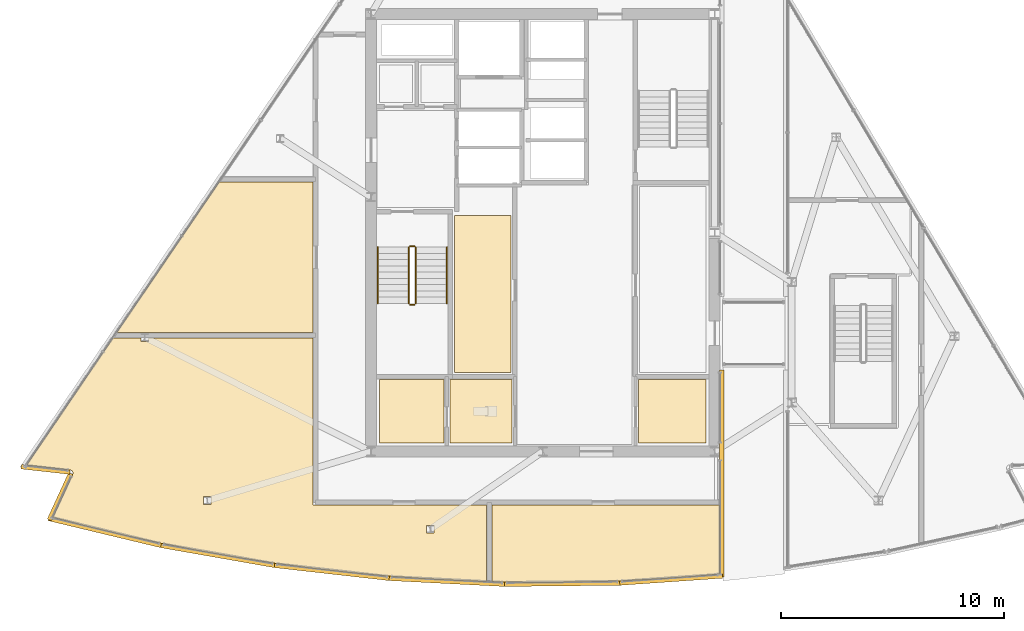
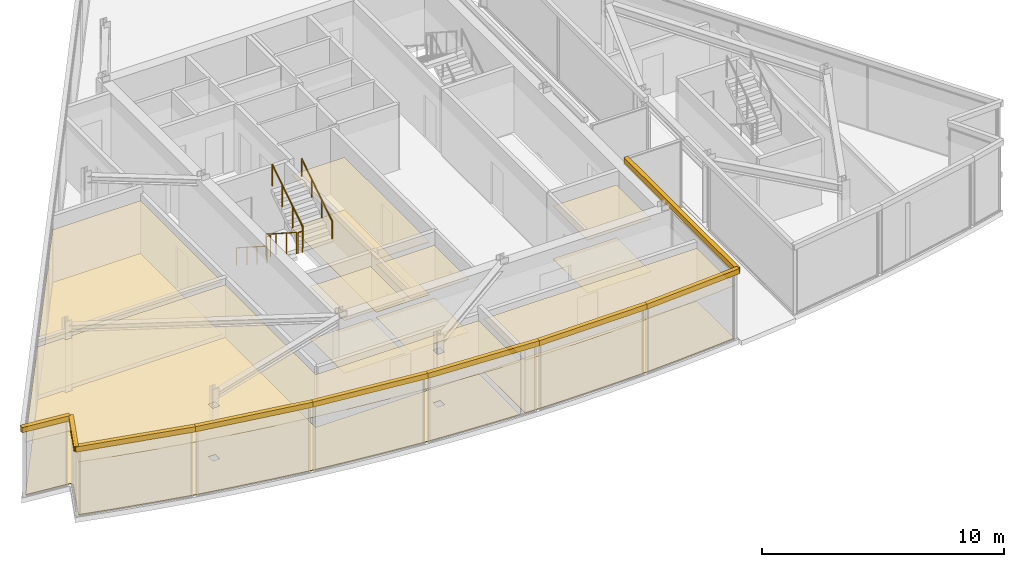
# One storey, part 11 of 15: 23 coverings, 6 railings.
"""IFC4 building model written with IfcOpenShell, lengths in metres."""

import ifcopenshell
import ifcopenshell.guid

model = None  # the IFC model being written
_history = None  # IfcOwnerHistory: only IFC2X3 demands one
_inside = {}  # id of a spatial element -> (the spatial element, [elements in it])
_under = {}  # id of a project, library or spatial element -> (it, [spatial elements below it])
_declared = {}  # id of a project -> (the project, [libraries it declares])
_typed = {}  # id of a type object -> (the type object, [elements of that type])
_made_of = {}  # id of a material, layer set ... -> (it, [elements and type objects made of it])


def new_model(schema):
    """Start an empty IFC model of exactly this schema.

    Asked for "IFC4X3", IfcOpenShell would pick the latest addendum, in which some entities
    have other attributes; the version numbers below select the first issue.
    IFC2X3 requires an IfcOwnerHistory on every rooted entity: one is made here for all.
    """
    global model, _history
    if schema == "IFC4X3":
        model = ifcopenshell.file(schema_version=(4, 3, 0, 0))
    else:
        model = ifcopenshell.file(schema=schema)
    _inside.clear()
    _under.clear()
    _declared.clear()
    _typed.clear()
    _made_of.clear()
    _history = None
    if model.schema == "IFC2X3":
        org = make("IfcOrganization", Name="unknown")
        user = make(
            "IfcPersonAndOrganization",
            ThePerson=make("IfcPerson", FamilyName="unknown"),
            TheOrganization=org,
        )
        app = make(
            "IfcApplication",
            ApplicationDeveloper=org,
            Version="unknown",
            ApplicationFullName="unknown",
            ApplicationIdentifier="unknown",
        )
        _history = make(
            "IfcOwnerHistory",
            OwningUser=user,
            OwningApplication=app,
            ChangeAction="ADDED",
            CreationDate=0,
        )
    return model


def make(cls, **values):
    """One entity of the class cls with the attributes given. An attribute that is None is left unset."""
    return model.create_entity(
        cls, **{name: value for name, value in values.items() if value is not None}
    )


def rooted(cls, **values):
    """An entity with a GlobalId (a new one), such as an element, a storey or a relation."""
    return make(cls, GlobalId=ifcopenshell.guid.new(), OwnerHistory=_history, **values)


def si_unit(unit_type, name, prefix=None):
    """IfcSIUnit, for example si_unit("LENGTHUNIT", "METRE", prefix="MILLI")."""
    return make("IfcSIUnit", UnitType=unit_type, Prefix=prefix, Name=name)


def assignment(units):
    """IfcUnitAssignment: the units of a project."""
    return None if units is None else make("IfcUnitAssignment", Units=units)


def point(xyz):
    """IfcCartesianPoint."""
    return None if xyz is None else make("IfcCartesianPoint", Coordinates=xyz)


def direction(xyz):
    """IfcDirection."""
    return None if xyz is None else make("IfcDirection", DirectionRatios=xyz)


def frame(location, z_axis=None, x_axis=None):
    """IfcAxis2Placement3D, a coordinate frame: its origin and axes. An axis left out is left unset."""
    return make(
        "IfcAxis2Placement3D",
        Location=point(location),
        Axis=direction(z_axis),
        RefDirection=direction(x_axis),
    )


def frame_2d(location, x_axis=None):
    """IfcAxis2Placement2D, a coordinate frame in the plane: its origin and x axis."""
    return make(
        "IfcAxis2Placement2D", Location=point(location), RefDirection=direction(x_axis)
    )


def origin():
    """The frame at (0, 0, 0) with its axes left unset."""
    return frame((0.0, 0.0, 0.0))


def origin_2d():
    """The frame at (0, 0) in the plane with its x axis left unset."""
    return frame_2d((0.0, 0.0))


def place(relative_to, where):
    """IfcLocalPlacement: puts the frame where relative to a parent placement (None: the world)."""
    return make(
        "IfcLocalPlacement", PlacementRelTo=relative_to, RelativePlacement=where
    )


def context(
    kind, dimensions, precision=None, world=None, true_north=None, identifier=None
):
    """IfcGeometricRepresentationContext, for example the 3D "Model" context."""
    return make(
        "IfcGeometricRepresentationContext",
        ContextIdentifier=identifier,
        ContextType=kind,
        CoordinateSpaceDimension=dimensions,
        Precision=precision,
        WorldCoordinateSystem=world,
        TrueNorth=true_north,
    )


def subcontext(parent, identifier, kind, view, scale=None):
    """IfcGeometricRepresentationSubContext, for example "Body" below "Model"."""
    return make(
        "IfcGeometricRepresentationSubContext",
        ContextIdentifier=identifier,
        ContextType=kind,
        ParentContext=parent,
        TargetScale=scale,
        TargetView=view,
    )


def project(units=None, contexts=None):
    """IfcProject with its units and contexts."""
    return rooted(
        "IfcProject",
        Name="project",
        RepresentationContexts=contexts,
        UnitsInContext=assignment(units),
    )


def spatial(cls, under=None, at=None, **own):
    """A site, building, storey or space (cls), placed at a placement, below another one or the project."""
    s = rooted(cls, ObjectPlacement=at, **own)
    if under is not None:
        _under.setdefault(under.id(), (under, []))[1].append(s)
    return s


def polyline(points):
    """IfcPolyline through the points."""
    return make("IfcPolyline", Points=[point(p) for p in points])


def profile(cls, at=None, kind="AREA", **sizes):
    """A parametric profile (cls). Its sizes go by their IFC names, for example OverallWidth=200.0."""
    return make(cls, ProfileType=kind, Position=at, **sizes)


def circle(**sizes):
    """IfcCircleProfileDef."""
    return profile("IfcCircleProfileDef", **sizes)


def outline(outer, holes=None, kind="AREA"):
    """IfcArbitraryClosedProfileDef: a profile drawn as a closed curve; with holes, ...WithVoids."""
    if holes is None:
        return make("IfcArbitraryClosedProfileDef", ProfileType=kind, OuterCurve=outer)
    return make(
        "IfcArbitraryProfileDefWithVoids",
        ProfileType=kind,
        OuterCurve=outer,
        InnerCurves=holes,
    )


def extrude(swept, where, along, depth):
    """IfcExtrudedAreaSolid: the profile swept, set in the frame where, extruded along a direction by depth."""
    return make(
        "IfcExtrudedAreaSolid",
        SweptArea=swept,
        Position=where,
        ExtrudedDirection=direction(along),
        Depth=depth,
    )


def shape(context_of_items, identifier, shape_type, items):
    """IfcShapeRepresentation: the items that make up one representation, for example the "Body"."""
    return make(
        "IfcShapeRepresentation",
        ContextOfItems=context_of_items,
        RepresentationIdentifier=identifier,
        RepresentationType=shape_type,
        Items=items,
    )


def material(Name=None, Category=None):
    """IfcMaterial."""
    return make("IfcMaterial", Name=Name, Category=Category)


def layer(
    of_material, thickness, ventilated=None, Name=None, Category=None, Priority=None
):
    """IfcMaterialLayer: one layer of a wall or slab, of a material (None: an air gap)."""
    return make(
        "IfcMaterialLayer",
        Material=of_material,
        LayerThickness=thickness,
        IsVentilated=ventilated,
        Name=Name,
        Category=Category,
        Priority=Priority,
    )


def layer_set(layers, Name=None):
    """IfcMaterialLayerSet."""
    return make("IfcMaterialLayerSet", MaterialLayers=layers, LayerSetName=Name)


def made_of(thing, what):
    """Note that an element or type object is made of a material, layer set ...; save() writes the relation."""
    if what is not None:
        _made_of.setdefault(what.id(), (what, []))[1].append(thing)
    return thing


def type_object(cls, material=None, **own):
    """A type object (cls), such as IfcWallType, which elements share."""
    return made_of(rooted(cls, **own), material)


def element(
    cls,
    number,
    at=None,
    inside=None,
    cuts=None,
    type_object=None,
    material=None,
    context=None,
    identifier="Body",
    shape_type=None,
    held_by="IfcProductDefinitionShape",
    body=None,
    shapes=None,
    **own,
):
    """One element of the class cls, such as IfcWall. Its Tag is "e" and its number.

    at: its placement. inside: the storey or other place that contains it. cuts: it is an
    opening in that element (IfcRelVoidsElement). A single representation is given by context,
    identifier, shape_type and body (its items); several are given by shapes. held_by: the class
    of the entity that holds the representations. save() writes the other relations.
    """
    e = rooted(cls, Tag="e%d" % number, ObjectPlacement=at, **own)
    if body is not None:
        shapes = [shape(context, identifier, shape_type, body)]
    if shapes is not None:
        e.Representation = make(held_by, Representations=shapes)
    if inside is not None:
        _inside.setdefault(inside.id(), (inside, []))[1].append(e)
    if cuts is not None:
        rooted(
            "IfcRelVoidsElement", RelatingBuildingElement=cuts, RelatedOpeningElement=e
        )
    if type_object is not None:
        _typed.setdefault(type_object.id(), (type_object, []))[1].append(e)
    return made_of(e, material)


def aggregate(whole, parts):
    """IfcRelAggregates: a whole, such as a stair, and the parts it consists of."""
    return rooted("IfcRelAggregates", RelatingObject=whole, RelatedObjects=parts)


def save(model, path):
    """Write the relations noted so far, then the file.

    IfcRelAggregates (storeys below a building ...), IfcRelContainedInSpatialStructure (elements
    in a storey), IfcRelDefinesByType, IfcRelAssociatesMaterial and IfcRelDeclares: one each for
    every whole, place, type object, material and project.
    """
    for whole, parts in _under.values():
        aggregate(whole, parts)
    for where, things in _inside.values():
        rooted(
            "IfcRelContainedInSpatialStructure",
            RelatedElements=things,
            RelatingStructure=where,
        )
    for kind, things in _typed.values():
        rooted("IfcRelDefinesByType", RelatedObjects=things, RelatingType=kind)
    for what, things in _made_of.values():
        rooted("IfcRelAssociatesMaterial", RelatedObjects=things, RelatingMaterial=what)
    for by, libraries in _declared.values():
        rooted("IfcRelDeclares", RelatingContext=by, RelatedDefinitions=libraries)
    model.write(path)


model = new_model("IFC4")

# Units and contexts
model_context = context("Model", 3, precision=1e-05, world=origin(), true_north=direction((0.0, 1.0)))
body_context = subcontext(model_context, "Body", "Model", "MODEL_VIEW")
ifc_project = project(units=[si_unit("LENGTHUNIT", "METRE"), si_unit("AREAUNIT", "SQUARE_METRE"), si_unit("VOLUMEUNIT", "CUBIC_METRE"), si_unit("PLANEANGLEUNIT", "RADIAN"), si_unit("MASSUNIT", "GRAM", prefix="KILO")], contexts=[model_context])

# Site, building, storey
site_placement = place(None, origin())
site = spatial("IfcSite", under=ifc_project, at=site_placement, CompositionType="ELEMENT")
building_placement = place(site_placement, origin())
building = spatial("IfcBuilding", under=site, at=building_placement, Name="Savorim Split Tower", CompositionType="ELEMENT")
storey_placement = place(building_placement, frame((0.0, 0.0, 297.60009765625)))
storey = spatial("IfcBuildingStorey", under=building, at=storey_placement, Name="Crown L79 Plant", CompositionType="ELEMENT", Elevation=297.60009765625)

# Coverings
ifc_material_1 = material(Name="Mineral Fibre Acoustic Ceiling")
ifc_layer_1 = layer(ifc_material_1, 0.02490234375)
ifc_layer_set_1 = layer_set([ifc_layer_1], Name="COV-CEIL-25")
covering_type_1 = type_object("IfcCoveringType", Name="COV-CEIL-25", PredefinedType="CEILING", material=ifc_layer_set_1)
covering_1_placement = place(storey_placement, frame((0.0, 0.0, 2.659912109375)))
element("IfcCovering", 1, at=covering_1_placement, inside=storey, type_object=covering_type_1, Name="Crown L79 Plant Core Mechanical Store West Acoustic Ceiling", PredefinedType="CEILING", context=body_context, shape_type="SweptSolid", body=[
    extrude(outline(polyline([(-3.969970703125, 1.169921875), (-3.969970703125, -5.8701171875), (-1.429931640625, -5.8701171875), (-1.429931640625, 1.169921875), (-3.969970703125, 1.169921875)])), origin(), (0.0, 0.0, 1.0), 0.02490234375),
])
covering_2_placement = place(storey_placement, frame((0.0, 0.0, 2.659912109375)))
element("IfcCovering", 2, at=covering_2_placement, inside=storey, type_object=covering_type_1, Name="Crown L79 Plant Housekeeping Store Acoustic Ceiling", PredefinedType="CEILING", context=body_context, shape_type="SweptSolid", body=[
    extrude(outline(polyline([(-7.320068359375, -6.179931640625), (-7.320068359375, -9.02001953125), (-4.429931640625, -9.02001953125), (-4.429931640625, -6.179931640625), (-7.320068359375, -6.179931640625)])), origin(), (0.0, 0.0, 1.0), 0.02490234375),
])
covering_3_placement = place(storey_placement, frame((0.0, 0.0, 2.659912109375)))
element("IfcCovering", 3, at=covering_3_placement, inside=storey, type_object=covering_type_1, Name="Crown L79 Plant Accessible WC Acoustic Ceiling", PredefinedType="CEILING", context=body_context, shape_type="SweptSolid", body=[
    extrude(outline(polyline([(-4.169921875, -6.179931640625), (-4.169921875, -9.02001953125), (-1.3798828125, -9.02001953125), (-1.3798828125, -6.179931640625), (-4.169921875, -6.179931640625)])), origin(), (0.0, 0.0, 1.0), 0.02490234375),
])
covering_4_placement = place(storey_placement, frame((0.0, 0.0, 2.659912109375)))
element("IfcCovering", 4, at=covering_4_placement, inside=storey, type_object=covering_type_1, Name="Crown L79 Plant Core IT Server Room Acoustic Ceiling", PredefinedType="CEILING", context=body_context, shape_type="SweptSolid", body=[
    extrude(outline(polyline([(4.280029296875, -6.179931640625), (4.280029296875, -9.02001953125), (7.320068359375, -9.02001953125), (7.320068359375, -6.179931640625), (4.280029296875, -6.179931640625)])), origin(), (0.0, 0.0, 1.0), 0.02490234375),
])
covering_5_placement = place(storey_placement, frame((0.0, 0.0, 2.659912109375)))
element("IfcCovering", 5, at=covering_5_placement, inside=storey, type_object=covering_type_1, Name="Crown L79 Plant AHU Mechanical Plant Room Acoustic Ceiling", PredefinedType="CEILING", context=body_context, shape_type="SweptSolid", body=[
    extrude(outline(polyline([(-10.300048828125, 2.679931640625), (-14.46630859375, 2.679931640625), (-14.49951171875, 2.679931640625), (-19.09814453125, -4.080078125), (-10.300048828125, -4.080078125), (-10.300048828125, 2.679931640625)])), origin(), (0.0, 0.0, 1.0), 0.02490234375),
])
covering_6_placement = place(storey_placement, frame((0.0, 0.0, 2.659912109375)))
element("IfcCovering", 6, at=covering_6_placement, inside=storey, type_object=covering_type_1, Name="Crown L79 Plant Chiller Plant Room Acoustic Ceiling", PredefinedType="CEILING", context=body_context, shape_type="SweptSolid", body=[
    extrude(outline(polyline([(-6.8779296875, -14.990478515625), (-5.160888671875, -15.113525390625), (-3.44189453125, -15.201416015625), (-2.52001953125, -15.22998046875), (-2.52001953125, -11.800048828125), (-10.06005859375, -11.800048828125), (-10.179931640625, -11.800048828125), (-10.300048828125, -11.800048828125), (-10.300048828125, -11.56005859375), (-10.300048828125, -4.320068359375), (-17.67529296875, -4.320068359375), (-17.67529296875, -4.463623046875), (-18.00537109375, -4.463623046875), (-18.00537109375, -4.320068359375), (-19.22802734375, -4.320068359375), (-19.261474609375, -4.320068359375), (-23.13427734375, -10.012939453125), (-21.181884765625, -10.23095703125), (-21.16796875, -10.233154296875), (-21.154541015625, -10.23681640625), (-21.1416015625, -10.24169921875), (-21.129150390625, -10.247802734375), (-21.1171875, -10.255126953125), (-21.106201171875, -10.263916015625), (-21.09619140625, -10.273193359375), (-21.0869140625, -10.283935546875), (-21.0791015625, -10.295166015625), (-21.072021484375, -10.307373046875), (-21.06640625, -10.320068359375), (-21.062255859375, -10.333251953125), (-21.05908203125, -10.346923828125), (-21.0576171875, -10.36083984375), (-21.057373046875, -10.374755859375), (-21.05859375, -10.388671875), (-21.06103515625, -10.40234375), (-21.06494140625, -10.41552734375), (-21.070068359375, -10.428466796875), (-21.955078125, -12.354736328125), (-20.449951171875, -12.74853515625), (-18.77587890625, -13.14990234375), (-17.09423828125, -13.516845703125), (-15.4052734375, -13.849365234375), (-13.709716796875, -14.147216796875), (-12.008544921875, -14.410400390625), (-10.302490234375, -14.638671875), (-8.592041015625, -14.83203125), (-6.8779296875, -14.990478515625)]), holes=[polyline([(-14.872314453125, -11.776611328125), (-14.872314453125, -11.426513671875), (-15.2021484375, -11.426513671875), (-15.2021484375, -11.776611328125), (-14.872314453125, -11.776611328125)]), polyline([(-4.874755859375, -13.06005859375), (-4.874755859375, -12.710205078125), (-5.20458984375, -12.710205078125), (-5.20458984375, -13.06005859375), (-4.874755859375, -13.06005859375)])]), origin(), (0.0, 0.0, 1.0), 0.02490234375),
])
covering_7_placement = place(storey_placement, frame((0.0, 0.0, 2.659912109375)))
element("IfcCovering", 7, at=covering_7_placement, inside=storey, type_object=covering_type_1, Name="Crown L79 Plant Booster Pump Plant Room Acoustic Ceiling", PredefinedType="CEILING", context=body_context, shape_type="SweptSolid", body=[
    extrude(outline(polyline([(3.44189453125, -15.201416015625), (5.160888671875, -15.113525390625), (6.8779296875, -14.990478515625), (7.909912109375, -14.89501953125), (7.909912109375, -11.800048828125), (-2.280029296875, -11.800048828125), (-2.280029296875, -15.2373046875), (-1.72119140625, -15.25439453125), (0.0, -15.27197265625), (1.72119140625, -15.25439453125), (3.44189453125, -15.201416015625)])), origin(), (0.0, 0.0, 1.0), 0.02490234375),
])
ifc_material_2 = material(Name="Terracotta Ceramic-Coated Aluminium Fin", Category="masonry")
ifc_layer_2 = layer(ifc_material_2, 0.050048828125)
ifc_layer_set_2 = layer_set([ifc_layer_2], Name="COV-CLAD-TERRA")
covering_type_2 = type_object("IfcCoveringType", Name="COV-CLAD-TERRA", PredefinedType="CLADDING", material=ifc_layer_set_2)
covering_8_placement = place(storey_placement, frame((0.0, 0.0, 3.33984375)))
element("IfcCovering", 8, at=covering_8_placement, inside=storey, type_object=covering_type_2, Name="Crown L79 Plant Sloped Crest Eave Spandrel W1", PredefinedType="CLADDING", context=body_context, shape_type="SweptSolid", body=[
    extrude(outline(polyline([(8.110107421875, -15.022705078125), (8.110107421875, -5.75), (7.909912109375, -5.75), (7.909912109375, -15.022705078125), (8.110107421875, -15.022705078125)])), origin(), (0.0, 0.0, 1.0), 0.260009765625),
])
covering_9_placement = place(storey_placement, frame((0.0, 0.0, 3.33984375)))
element("IfcCovering", 9, at=covering_9_placement, inside=storey, type_object=covering_type_2, Name="Crown L79 Plant Sloped Crest Eave Spandrel W6", PredefinedType="CLADDING", context=body_context, shape_type="SweptSolid", body=[
    extrude(outline(polyline([(-23.38720703125, -10.185791015625), (-21.2041015625, -10.4296875), (-21.181884765625, -10.23095703125), (-23.364990234375, -9.9873046875), (-23.38720703125, -10.185791015625)])), origin(), (0.0, 0.0, 1.0), 0.260009765625),
])
covering_10_placement = place(storey_placement, frame((0.0, 0.0, 3.33984375)))
element("IfcCovering", 10, at=covering_10_placement, inside=storey, type_object=covering_type_2, Name="Crown L79 Plant Sloped Crest Eave Spandrel W7", PredefinedType="CLADDING", context=body_context, shape_type="SweptSolid", body=[
    extrude(outline(polyline([(-21.251708984375, -10.34521484375), (-22.20654296875, -12.423095703125), (-22.02490234375, -12.50634765625), (-21.070068359375, -10.428466796875), (-21.251708984375, -10.34521484375)])), origin(), (0.0, 0.0, 1.0), 0.260009765625),
])
covering_11_placement = place(storey_placement, frame((0.0, 0.0, 3.33984375)))
element("IfcCovering", 11, at=covering_11_placement, inside=storey, type_object=covering_type_2, Name="Crown L79 Plant Sloped Crest Eave Spandrel W8", PredefinedType="CLADDING", context=body_context, shape_type="SweptSolid", body=[
    extrude(outline(polyline([(-22.166015625, -12.50634765625), (-17.13671875, -13.712158203125), (-17.090087890625, -13.517822265625), (-22.119384765625, -12.31201171875), (-22.166015625, -12.50634765625)])), origin(), (0.0, 0.0, 1.0), 0.260009765625),
])
covering_12_placement = place(storey_placement, frame((0.0, 0.0, 3.33984375)))
element("IfcCovering", 12, at=covering_12_placement, inside=storey, type_object=covering_type_2, Name="Crown L79 Plant Sloped Crest Eave Spandrel W9", PredefinedType="CLADDING", context=body_context, shape_type="SweptSolid", body=[
    extrude(outline(polyline([(-17.133056640625, -13.712890625), (-12.0390625, -14.608154296875), (-12.00439453125, -14.4111328125), (-17.098388671875, -13.51611328125), (-17.133056640625, -13.712890625)])), origin(), (0.0, 0.0, 1.0), 0.260009765625),
])
covering_13_placement = place(storey_placement, frame((0.0, 0.0, 3.33984375)))
element("IfcCovering", 13, at=covering_13_placement, inside=storey, type_object=covering_type_2, Name="Crown L79 Plant Sloped Crest Eave Spandrel W10", PredefinedType="CLADDING", context=body_context, shape_type="SweptSolid", body=[
    extrude(outline(polyline([(-12.035400390625, -14.608642578125), (-6.89599609375, -15.189453125), (-6.873779296875, -14.99072265625), (-12.012939453125, -14.409912109375), (-12.035400390625, -14.608642578125)])), origin(), (0.0, 0.0, 1.0), 0.260009765625),
])
covering_14_placement = place(storey_placement, frame((0.0, 0.0, 3.33984375)))
element("IfcCovering", 14, at=covering_14_placement, inside=storey, type_object=covering_type_2, Name="Crown L79 Plant Sloped Crest Eave Spandrel W11", PredefinedType="CLADDING", context=body_context, shape_type="SweptSolid", body=[
    extrude(outline(polyline([(-6.892578125, -15.189697265625), (-1.727294921875, -15.454345703125), (-1.716796875, -15.254638671875), (-6.882080078125, -14.989990234375), (-6.892578125, -15.189697265625)])), origin(), (0.0, 0.0, 1.0), 0.260009765625),
])
covering_15_placement = place(storey_placement, frame((0.0, 0.0, 3.33984375)))
element("IfcCovering", 15, at=covering_15_placement, inside=storey, type_object=covering_type_2, Name="Crown L79 Plant Sloped Crest Eave Spandrel W12", PredefinedType="CLADDING", context=body_context, shape_type="SweptSolid", body=[
    extrude(outline(polyline([(-1.723388671875, -15.454345703125), (3.4482421875, -15.4013671875), (3.4462890625, -15.201416015625), (-1.7255859375, -15.25439453125), (-1.723388671875, -15.454345703125)])), origin(), (0.0, 0.0, 1.0), 0.260009765625),
])
covering_16_placement = place(storey_placement, frame((0.0, 0.0, 3.33984375)))
element("IfcCovering", 16, at=covering_16_placement, inside=storey, type_object=covering_type_2, Name="Crown L79 Plant Sloped Crest Eave Spandrel W13", PredefinedType="CLADDING", context=body_context, shape_type="SweptSolid", body=[
    extrude(outline(polyline([(3.45166015625, -15.4013671875), (8.05419921875, -15.08251953125), (8.040283203125, -14.883056640625), (3.43798828125, -15.20166015625), (3.45166015625, -15.4013671875)])), origin(), (0.0, 0.0, 1.0), 0.260009765625),
])
ifc_material_3 = material(Name="Porcelain Stoneware Flooring", Category="masonry")
ifc_layer_3 = layer(ifc_material_3, 0.02001953125)
ifc_layer_set_3 = layer_set([ifc_layer_3], Name="COV-FLOR-20")
covering_type_3 = type_object("IfcCoveringType", Name="COV-FLOR-20", PredefinedType="FLOORING", material=ifc_layer_set_3)
covering_17_placement = place(storey_placement, origin())
element("IfcCovering", 17, at=covering_17_placement, inside=storey, type_object=covering_type_3, Name="Crown L79 Plant Core Mechanical Store West Porcelain Flooring", PredefinedType="FLOORING", context=body_context, shape_type="SweptSolid", body=[
    extrude(outline(polyline([(-3.969970703125, 1.169921875), (-3.969970703125, -5.8701171875), (-1.429931640625, -5.8701171875), (-1.429931640625, 1.169921875), (-3.969970703125, 1.169921875)])), origin(), (0.0, 0.0, 1.0), 0.02001953125),
])
covering_18_placement = place(storey_placement, origin())
element("IfcCovering", 18, at=covering_18_placement, inside=storey, type_object=covering_type_3, Name="Crown L79 Plant Housekeeping Store Porcelain Flooring", PredefinedType="FLOORING", context=body_context, shape_type="SweptSolid", body=[
    extrude(outline(polyline([(-7.320068359375, -6.179931640625), (-7.320068359375, -9.02001953125), (-4.429931640625, -9.02001953125), (-4.429931640625, -6.179931640625), (-7.320068359375, -6.179931640625)])), origin(), (0.0, 0.0, 1.0), 0.02001953125),
])
covering_19_placement = place(storey_placement, origin())
element("IfcCovering", 19, at=covering_19_placement, inside=storey, type_object=covering_type_3, Name="Crown L79 Plant Accessible WC Porcelain Flooring", PredefinedType="FLOORING", context=body_context, shape_type="SweptSolid", body=[
    extrude(outline(polyline([(-4.169921875, -6.179931640625), (-4.169921875, -9.02001953125), (-1.3798828125, -9.02001953125), (-1.3798828125, -6.179931640625), (-4.169921875, -6.179931640625)])), origin(), (0.0, 0.0, 1.0), 0.02001953125),
])
covering_20_placement = place(storey_placement, origin())
element("IfcCovering", 20, at=covering_20_placement, inside=storey, type_object=covering_type_3, Name="Crown L79 Plant Core IT Server Room Porcelain Flooring", PredefinedType="FLOORING", context=body_context, shape_type="SweptSolid", body=[
    extrude(outline(polyline([(4.280029296875, -6.179931640625), (4.280029296875, -9.02001953125), (7.320068359375, -9.02001953125), (7.320068359375, -6.179931640625), (4.280029296875, -6.179931640625)])), origin(), (0.0, 0.0, 1.0), 0.02001953125),
])
covering_21_placement = place(storey_placement, origin())
element("IfcCovering", 21, at=covering_21_placement, inside=storey, type_object=covering_type_3, Name="Crown L79 Plant AHU Mechanical Plant Room Porcelain Flooring", PredefinedType="FLOORING", context=body_context, shape_type="SweptSolid", body=[
    extrude(outline(polyline([(-10.300048828125, 2.679931640625), (-14.46630859375, 2.679931640625), (-14.49951171875, 2.679931640625), (-19.09814453125, -4.080078125), (-10.300048828125, -4.080078125), (-10.300048828125, 2.679931640625)])), origin(), (0.0, 0.0, 1.0), 0.02001953125),
])
covering_22_placement = place(storey_placement, origin())
element("IfcCovering", 22, at=covering_22_placement, inside=storey, type_object=covering_type_3, Name="Crown L79 Plant Chiller Plant Room Porcelain Flooring", PredefinedType="FLOORING", context=body_context, shape_type="SweptSolid", body=[
    extrude(outline(polyline([(-6.8779296875, -14.990478515625), (-5.160888671875, -15.113525390625), (-3.44189453125, -15.201416015625), (-2.52001953125, -15.22998046875), (-2.52001953125, -11.800048828125), (-10.06005859375, -11.800048828125), (-10.179931640625, -11.800048828125), (-10.300048828125, -11.800048828125), (-10.300048828125, -11.56005859375), (-10.300048828125, -4.320068359375), (-17.67529296875, -4.320068359375), (-17.67529296875, -4.463623046875), (-18.00537109375, -4.463623046875), (-18.00537109375, -4.320068359375), (-19.22802734375, -4.320068359375), (-19.261474609375, -4.320068359375), (-23.13427734375, -10.012939453125), (-21.181884765625, -10.23095703125), (-21.16796875, -10.233154296875), (-21.154541015625, -10.23681640625), (-21.1416015625, -10.24169921875), (-21.129150390625, -10.247802734375), (-21.1171875, -10.255126953125), (-21.106201171875, -10.263916015625), (-21.09619140625, -10.273193359375), (-21.0869140625, -10.283935546875), (-21.0791015625, -10.295166015625), (-21.072021484375, -10.307373046875), (-21.06640625, -10.320068359375), (-21.062255859375, -10.333251953125), (-21.05908203125, -10.346923828125), (-21.0576171875, -10.36083984375), (-21.057373046875, -10.374755859375), (-21.05859375, -10.388671875), (-21.06103515625, -10.40234375), (-21.06494140625, -10.41552734375), (-21.070068359375, -10.428466796875), (-21.955078125, -12.354736328125), (-20.449951171875, -12.74853515625), (-18.77587890625, -13.14990234375), (-17.09423828125, -13.516845703125), (-15.4052734375, -13.849365234375), (-13.709716796875, -14.147216796875), (-12.008544921875, -14.410400390625), (-10.302490234375, -14.638671875), (-8.592041015625, -14.83203125), (-6.8779296875, -14.990478515625)]), holes=[polyline([(-14.872314453125, -11.776611328125), (-14.872314453125, -11.426513671875), (-15.2021484375, -11.426513671875), (-15.2021484375, -11.776611328125), (-14.872314453125, -11.776611328125)]), polyline([(-4.874755859375, -13.06005859375), (-4.874755859375, -12.710205078125), (-5.20458984375, -12.710205078125), (-5.20458984375, -13.06005859375), (-4.874755859375, -13.06005859375)])]), origin(), (0.0, 0.0, 1.0), 0.02001953125),
])
covering_23_placement = place(storey_placement, origin())
element("IfcCovering", 23, at=covering_23_placement, inside=storey, type_object=covering_type_3, Name="Crown L79 Plant Booster Pump Plant Room Porcelain Flooring", PredefinedType="FLOORING", context=body_context, shape_type="SweptSolid", body=[
    extrude(outline(polyline([(3.44189453125, -15.201416015625), (5.160888671875, -15.113525390625), (6.8779296875, -14.990478515625), (7.909912109375, -14.89501953125), (7.909912109375, -11.800048828125), (-2.280029296875, -11.800048828125), (-2.280029296875, -15.2373046875), (-1.72119140625, -15.25439453125), (0.0, -15.27197265625), (1.72119140625, -15.25439453125), (3.44189453125, -15.201416015625)])), origin(), (0.0, 0.0, 1.0), 0.02001953125),
])

# Railings
ifc_material_4 = material(Name="Galvanised Painted Steel Balustrade", Category="steel")
railing_type_1 = type_object("IfcRailingType", Name="RLG-HR-900", PredefinedType="HANDRAIL", material=ifc_material_4)
railing_1_placement = place(storey_placement, frame((-7.39990234375, -0.25, 0.179931640625)))
element("IfcRailing", 24, at=railing_1_placement, inside=storey, type_object=railing_type_1, Name="Crown L79 Plant ST-1 stair handrail 1", PredefinedType="HANDRAIL", context=body_context, shape_type="SweptSolid", body=[
    extrude(circle(Radius=0.02392578125, at=origin_2d()), frame((0.0, 0.0, 0.8759765625), z_axis=(0.0, -0.841199657755, 0.540724639528), x_axis=(1.0, 0.0, 0.0)), (0.0, 0.0, 1.0), 2.995849609375),
    extrude(circle(Radius=0.02099609375, at=origin_2d()), origin(), (0.0, 0.0, 1.0), 0.851806640625),
    extrude(circle(Radius=0.02099609375, at=origin_2d()), frame((0.0, -0.840087890625, 0.5400390625)), (0.0, 0.0, 1.0), 0.851806640625),
    extrude(circle(Radius=0.02099609375, at=origin_2d()), frame((0.0, -1.679931640625, 1.079833984375)), (0.0, 0.0, 1.0), 0.851806640625),
    extrude(circle(Radius=0.02099609375, at=origin_2d()), frame((0.0, -2.52001953125, 1.619873046875)), (0.0, 0.0, 1.0), 0.851806640625),
])
railing_2_placement = place(storey_placement, frame((-4.300048828125, -2.77001953125, 1.97998046875)))
element("IfcRailing", 25, at=railing_2_placement, inside=storey, type_object=railing_type_1, Name="Crown L79 Plant ST-1 stair handrail 2", PredefinedType="HANDRAIL", context=body_context, shape_type="SweptSolid", body=[
    extrude(circle(Radius=0.02392578125, at=origin_2d()), frame((0.0, 0.0, 0.8759765625), z_axis=(0.0, 0.841199657755, 0.540724639528), x_axis=(-1.0, 0.0, 0.0)), (0.0, 0.0, 1.0), 2.995849609375),
    extrude(circle(Radius=0.02099609375, at=origin_2d()), origin(), (0.0, 0.0, 1.0), 0.851806640625),
    extrude(circle(Radius=0.02099609375, at=origin_2d()), frame((0.0, 0.840087890625, 0.5400390625)), (0.0, 0.0, 1.0), 0.851806640625),
    extrude(circle(Radius=0.02099609375, at=origin_2d()), frame((0.0, 1.679931640625, 1.079833984375)), (0.0, 0.0, 1.0), 0.851806640625),
    extrude(circle(Radius=0.02099609375, at=origin_2d()), frame((0.0, 2.52001953125, 1.619873046875)), (0.0, 0.0, 1.0), 0.851806640625),
])
railing_type_2 = type_object("IfcRailingType", Name="RLG-STG-1100", PredefinedType="BALUSTRADE", material=ifc_material_4)
railing_3_placement = place(storey_placement, frame((-6.0, -0.25, 0.179931640625)))
element("IfcRailing", 26, at=railing_3_placement, inside=storey, type_object=railing_type_2, Name="Crown L79 Plant ST-1 stair guard 1", PredefinedType="BALUSTRADE", context=body_context, shape_type="SweptSolid", body=[
    extrude(circle(Radius=0.02392578125, at=origin_2d()), frame((0.0, 0.0, 1.076171875), z_axis=(0.0, -0.841199657755, 0.540724639528), x_axis=(1.0, 0.0, 0.0)), (0.0, 0.0, 1.0), 2.995849609375),
    extrude(circle(Radius=0.02099609375, at=origin_2d()), origin(), (0.0, 0.0, 1.0), 1.052001953125),
    extrude(circle(Radius=0.02099609375, at=origin_2d()), frame((0.0, -0.840087890625, 0.5400390625)), (0.0, 0.0, 1.0), 1.052001953125),
    extrude(circle(Radius=0.02099609375, at=origin_2d()), frame((0.0, -1.679931640625, 1.079833984375)), (0.0, 0.0, 1.0), 1.052001953125),
    extrude(circle(Radius=0.02099609375, at=origin_2d()), frame((0.0, -2.52001953125, 1.619873046875)), (0.0, 0.0, 1.0), 1.052001953125),
])
railing_4_placement = place(storey_placement, frame((-5.949951171875, -2.820068359375, 1.7998046875)))
element("IfcRailing", 27, at=railing_4_placement, inside=storey, type_object=railing_type_2, Name="Crown L79 Plant ST-1 stair guard 2", PredefinedType="BALUSTRADE", context=body_context, shape_type="SweptSolid", body=[
    extrude(circle(Radius=0.02392578125, at=origin_2d()), frame((0.0, 0.0, 1.076171875), z_axis=(1.0, 0.0, 0.0), x_axis=(0.0, 1.0, 0.0)), (0.0, 0.0, 1.0), 0.199951171875),
    extrude(circle(Radius=0.02099609375, at=origin_2d()), origin(), (0.0, 0.0, 1.0), 1.052001953125),
    extrude(circle(Radius=0.02099609375, at=origin_2d()), frame((0.199951171875, 0.0, 0.0)), (0.0, 0.0, 1.0), 1.052001953125),
])
railing_5_placement = place(storey_placement, frame((-5.699951171875, -2.77001953125, 1.97998046875)))
element("IfcRailing", 28, at=railing_5_placement, inside=storey, type_object=railing_type_2, Name="Crown L79 Plant ST-1 stair guard 3", PredefinedType="BALUSTRADE", context=body_context, shape_type="SweptSolid", body=[
    extrude(circle(Radius=0.02392578125, at=origin_2d()), frame((0.0, 0.0, 1.076171875), z_axis=(0.0, 0.841199657755, 0.540724639528), x_axis=(-1.0, 0.0, 0.0)), (0.0, 0.0, 1.0), 2.995849609375),
    extrude(circle(Radius=0.02099609375, at=origin_2d()), origin(), (0.0, 0.0, 1.0), 1.052001953125),
    extrude(circle(Radius=0.02099609375, at=origin_2d()), frame((0.0, 0.840087890625, 0.5400390625)), (0.0, 0.0, 1.0), 1.052001953125),
    extrude(circle(Radius=0.02099609375, at=origin_2d()), frame((0.0, 1.679931640625, 1.079833984375)), (0.0, 0.0, 1.0), 1.052001953125),
    extrude(circle(Radius=0.02099609375, at=origin_2d()), frame((0.0, 2.52001953125, 1.619873046875)), (0.0, 0.0, 1.0), 1.052001953125),
])
railing_6_placement = place(storey_placement, frame((-5.949951171875, -0.199951171875, 0.0)))
element("IfcRailing", 29, at=railing_6_placement, inside=storey, type_object=railing_type_2, Name="Crown L79 Plant ST-1 stair guard 4", PredefinedType="BALUSTRADE", context=body_context, shape_type="SweptSolid", body=[
    extrude(circle(Radius=0.02392578125, at=origin_2d()), frame((0.0, 0.0, 1.076171875), z_axis=(1.0, 0.0, 0.0), x_axis=(0.0, 1.0, 0.0)), (0.0, 0.0, 1.0), 0.199951171875),
    extrude(circle(Radius=0.02099609375, at=origin_2d()), origin(), (0.0, 0.0, 1.0), 1.052001953125),
    extrude(circle(Radius=0.02099609375, at=origin_2d()), frame((0.199951171875, 0.0, 0.0)), (0.0, 0.0, 1.0), 1.052001953125),
])

save(model, "model.ifc")
